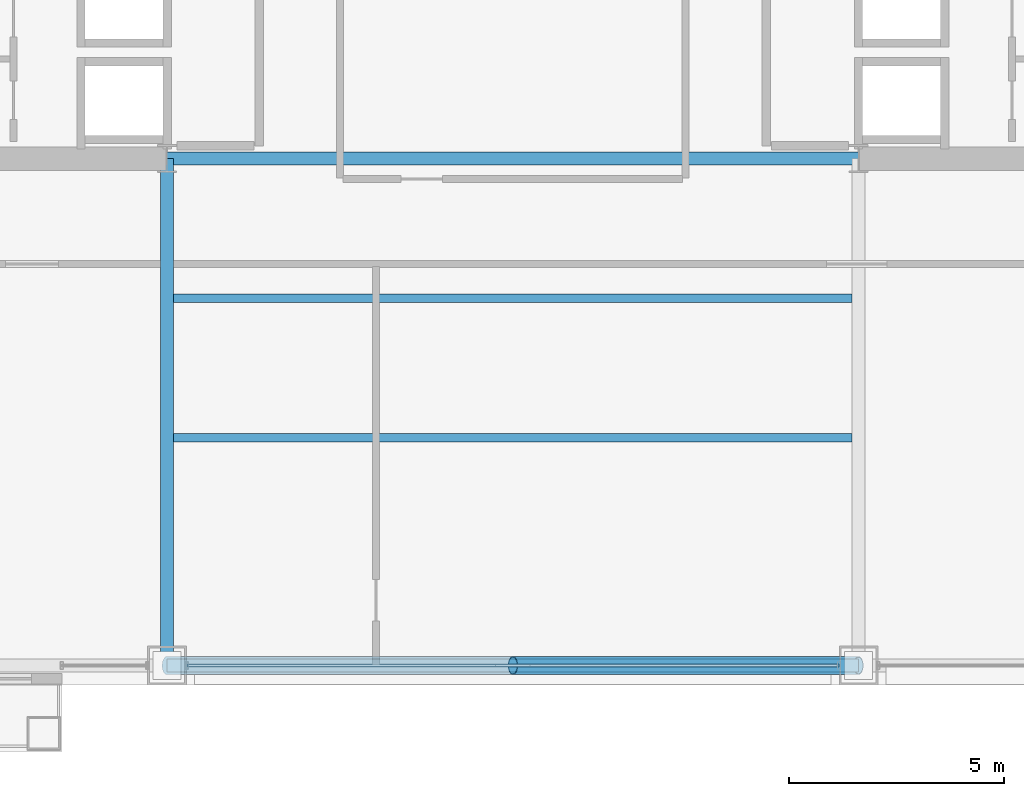
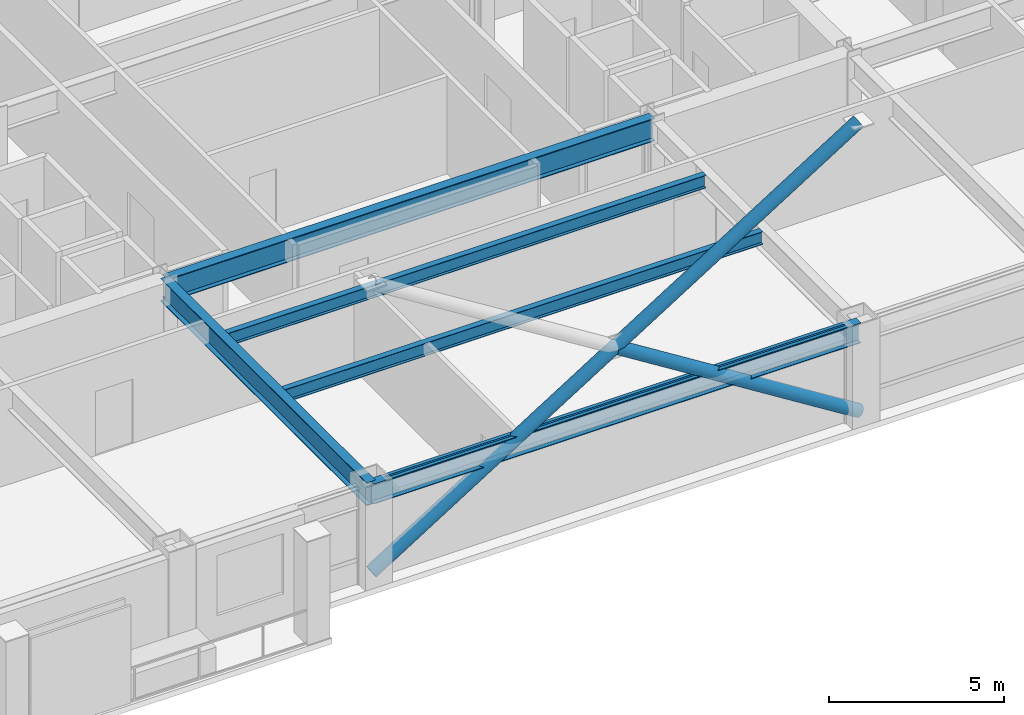
# One storey, part 6 of 29: 5 beams, 3 members, 1 element without a shape of its own.
"""IFC4 building model written with IfcOpenShell, lengths in metres."""

from ifc_helpers import new_model, si_unit, direction, frame, origin, origin_2d, place, context, subcontext, project, spatial, hollow_rectangle, hollow_circle, i_section, extrude, material, layer, layer_set, material_profile, profile_set, type_object, element, aggregate, save


model = new_model("IFC4")

# Units and contexts
model_context = context("Model", 3, precision=1e-05, world=origin(), true_north=direction((0.0, 1.0)))
body_context = subcontext(model_context, "Body", "Model", "MODEL_VIEW")
ifc_project = project(units=[si_unit("LENGTHUNIT", "METRE"), si_unit("AREAUNIT", "SQUARE_METRE"), si_unit("VOLUMEUNIT", "CUBIC_METRE"), si_unit("PLANEANGLEUNIT", "RADIAN"), si_unit("MASSUNIT", "GRAM", prefix="KILO")], contexts=[model_context])

# Site, building, storey
site_placement = place(None, origin())
site = spatial("IfcSite", under=ifc_project, at=site_placement, CompositionType="ELEMENT")
building_placement = place(site_placement, origin())
building = spatial("IfcBuilding", under=site, at=building_placement, Name="Brelmoor Portico Tower", CompositionType="ELEMENT")
storey_placement = place(building_placement, frame((0.0, 0.0, 67.199951171875)))
storey = spatial("IfcBuildingStorey", under=building, at=storey_placement, Name="L17", CompositionType="ELEMENT", Elevation=67.199951171875)

# Beams
ifc_material_1 = material(Name="Steel Q355B", Category="steel")
ifc_material_profile_1 = material_profile(ifc_material_1, i_section(OverallWidth=0.199951171875, OverallDepth=0.449951171875, WebThickness=0.009033203125, FlangeThickness=0.013916015625, at=origin_2d()), Name="HN 450x200x9x14")
ifc_profile_set_1 = profile_set([ifc_material_profile_1], Name="Steel Q355B")
beam_type_1 = type_object("IfcBeamType", Name="BM-JS-450", PredefinedType="JOIST", material=ifc_profile_set_1)
for number, where, z_axis, x_axis, name in (
    (1, (-7.89990234375, -16.25, 3.175048828125), (1.0, 0.0, 0.0), (0.0, 1.0, 0.0), "L17 Secondary Composite Joist JS-C01"),
    (2, (-7.89990234375, -13.0, 3.175048828125), (1.0, 0.0, 0.0), (0.0, 1.0, 0.0), "L17 Secondary Composite Joist JS-C02"),
):
    element("IfcBeam", number, at=place(storey_placement, frame(where, z_axis=z_axis, x_axis=x_axis)), inside=storey, type_object=beam_type_1, Name=name, PredefinedType="JOIST", context=body_context, shape_type="SweptSolid", body=[
        extrude(i_section(OverallWidth=0.199951171875, OverallDepth=0.449951171875, WebThickness=0.009033203125, FlangeThickness=0.013916015625, at=origin_2d()), origin(), (0.0, 0.0, 1.0), 15.7998046875),
    ])
ifc_material_profile_2 = material_profile(ifc_material_1, i_section(OverallWidth=0.300048828125, OverallDepth=0.800048828125, WebThickness=0.013916015625, FlangeThickness=0.02587890625, at=origin_2d()), Name="HN 800x300x14x26")
ifc_profile_set_2 = profile_set([ifc_material_profile_2], Name="Steel Q355B")
beam_type_2 = type_object("IfcBeamType", Name="BM-PG-800", PredefinedType="BEAM", material=ifc_profile_set_2)
beam_1_placement = place(storey_placement, frame((-8.050048828125, -21.550048828125, 3.0), z_axis=(0.0, 1.0, 0.0), x_axis=(-1.0, 0.0, 0.0)))
element("IfcBeam", 3, at=beam_1_placement, inside=storey, type_object=beam_type_2, Name="L17 Primary Floor Girder PG-07", PredefinedType="BEAM", context=body_context, shape_type="SweptSolid", body=[
    extrude(i_section(OverallWidth=0.300048828125, OverallDepth=0.800048828125, WebThickness=0.013916015625, FlangeThickness=0.02587890625, at=origin_2d()), origin(), (0.0, 0.0, 1.0), 11.800048828125),
])
beam_2_placement = place(storey_placement, frame((-8.050048828125, -9.75, 3.0), z_axis=(1.0, 0.0, 0.0), x_axis=(0.0, 1.0, 0.0)))
element("IfcBeam", 4, at=beam_2_placement, inside=storey, type_object=beam_type_2, Name="L17 Primary Floor Girder PG-21", PredefinedType="BEAM", context=body_context, shape_type="SweptSolid", body=[
    extrude(i_section(OverallWidth=0.300048828125, OverallDepth=0.800048828125, WebThickness=0.013916015625, FlangeThickness=0.02587890625, at=origin_2d()), origin(), (0.0, 0.0, 1.0), 16.10009765625),
])
ifc_material_profile_3 = material_profile(ifc_material_1, i_section(OverallWidth=0.300048828125, OverallDepth=0.699951171875, WebThickness=0.012939453125, FlangeThickness=0.02392578125, at=origin_2d()), Name="HN 700x300x13x24")
ifc_profile_set_3 = profile_set([ifc_material_profile_3], Name="Steel Q355B")
beam_type_3 = type_object("IfcBeamType", Name="BM-SP-700", PredefinedType="SPANDREL", material=ifc_profile_set_3)
beam_3_placement = place(storey_placement, frame((-8.050048828125, -21.550048828125, 3.050048828125), z_axis=(1.0, 0.0, 0.0), x_axis=(0.0, 1.0, 0.0)))
element("IfcBeam", 5, at=beam_3_placement, inside=storey, type_object=beam_type_3, Name="L17 Perimeter Spandrel Beam SP-03", PredefinedType="SPANDREL", context=body_context, shape_type="SweptSolid", body=[
    extrude(i_section(OverallWidth=0.300048828125, OverallDepth=0.699951171875, WebThickness=0.012939453125, FlangeThickness=0.02392578125, at=origin_2d()), origin(), (0.0, 0.0, 1.0), 16.10009765625),
])

# Members
ifc_material_profile_4 = material_profile(ifc_material_1, hollow_circle(Radius=0.212890625, WallThickness=0.02001953125, at=origin_2d()), Name="CHS 426x20")
ifc_profile_set_4 = profile_set([ifc_material_profile_4], Name="Steel Q355B")
member_type_1 = type_object("IfcMemberType", Name="MB-BELT-DIAG1", PredefinedType="BRACE", material=ifc_profile_set_4)
member_1_placement = place(storey_placement, frame((-8.050048828125, -21.550048828125, 0.25), z_axis=(0.847109476093, 0.0, 0.531418418493), x_axis=(0.0, 1.0, 0.0)))
element("IfcMember", 6, at=member_1_placement, inside=storey, type_object=member_type_1, Name="L17 Continuous Mega-X Brace 034A", PredefinedType="BRACE", context=body_context, shape_type="SweptSolid", body=[
    extrude(hollow_circle(Radius=0.212890625, WallThickness=0.02001953125, at=origin_2d()), origin(), (0.0, 0.0, 1.0), 19.005859375),
])
member_2_placement = place(storey_placement, frame((8.050048828125, -21.550048828125, 0.25), z_axis=(-0.847109476093, 0.0, 0.531418418493), x_axis=(0.0, -1.0, 0.0)))
element("IfcMember", 7, at=member_2_placement, inside=storey, type_object=member_type_1, Name="L17 Split Mega-X Brace 034B1", PredefinedType="BRACE", context=body_context, shape_type="SweptSolid", body=[
    extrude(hollow_circle(Radius=0.212890625, WallThickness=0.02001953125, at=origin_2d()), origin(), (0.0, 0.0, 1.0), 9.5029296875),
])

# Curtain wall, member
ifc_material_2 = material(Name="Anodised Aluminium Alloy 6063-T6", Category="aluminium")
ifc_layer = layer(ifc_material_2, 0.179931640625)
ifc_layer_set = layer_set([ifc_layer], Name="Anodised Aluminium Alloy 6063-T6")
curtain_wall_type = type_object("IfcCurtainWallType", Name="CW-TOWER-Z1-XB", PredefinedType="NOTDEFINED", material=ifc_layer_set)
curtain_wall_placement = place(storey_placement, origin())
curtain_wall = element("IfcCurtainWall", 8, at=curtain_wall_placement, inside=storey, type_object=curtain_wall_type, Name="L17 Curtain Wall CW-L17-1R-2", PredefinedType="NOTDEFINED")
ifc_material_profile_5 = material_profile(ifc_material_2, hollow_rectangle(XDim=0.06494140625, YDim=0.139892578125, WallThickness=0.00390625, at=origin_2d()), Name="ALU TRANSOM 65x140")
ifc_profile_set_5 = profile_set([ifc_material_profile_5], Name="Anodised Aluminium Alloy 6063-T6")
member_type_2 = type_object("IfcMemberType", Name="MB-CW-TRAN-140", PredefinedType="USERDEFINED", material=ifc_profile_set_5)
member_3_placement = place(storey_placement, frame((-7.590087890625, -21.550048828125, 3.330078125), z_axis=(1.0, 0.0, 0.0), x_axis=(0.0, 1.0, 0.0)))
member_3 = element("IfcMember", 9, at=member_3_placement, type_object=member_type_2, Name="CW-L17-1R-2 Transom 1-00", ObjectType="TRANSOM", PredefinedType="USERDEFINED", context=body_context, shape_type="SweptSolid", body=[
    extrude(hollow_rectangle(XDim=0.06494140625, YDim=0.139892578125, WallThickness=0.00390625, at=origin_2d()), origin(), (0.0, 0.0, 1.0), 15.18017578125),
])
aggregate(curtain_wall, [member_3])

save(model, "model.ifc")
